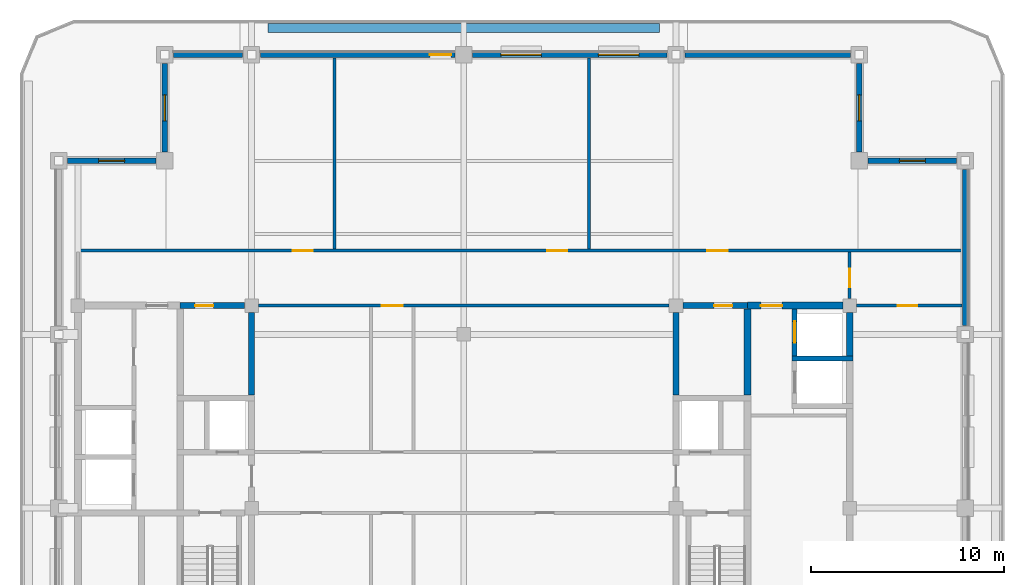
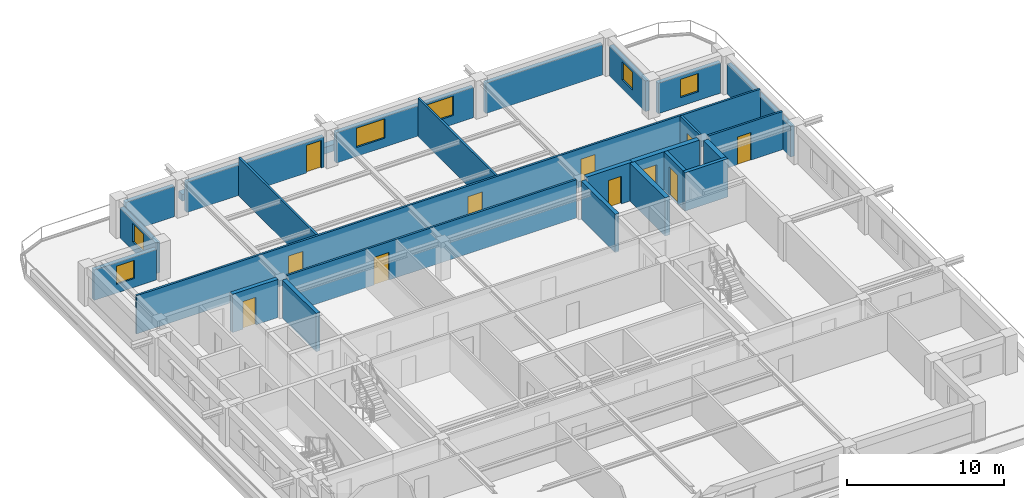
# One storey, part 5 of 11: 25 walls, 11 doors, 6 windows, 17 openings.
"""IFC4 building model written with IfcOpenShell, lengths in metres."""

import ifcopenshell
import ifcopenshell.guid

model = None  # the IFC model being written
_history = None  # IfcOwnerHistory: only IFC2X3 demands one
_inside = {}  # id of a spatial element -> (the spatial element, [elements in it])
_under = {}  # id of a project, library or spatial element -> (it, [spatial elements below it])
_declared = {}  # id of a project -> (the project, [libraries it declares])
_typed = {}  # id of a type object -> (the type object, [elements of that type])
_made_of = {}  # id of a material, layer set ... -> (it, [elements and type objects made of it])


def new_model(schema):
    """Start an empty IFC model of exactly this schema.

    Asked for "IFC4X3", IfcOpenShell would pick the latest addendum, in which some entities
    have other attributes; the version numbers below select the first issue.
    IFC2X3 requires an IfcOwnerHistory on every rooted entity: one is made here for all.
    """
    global model, _history
    if schema == "IFC4X3":
        model = ifcopenshell.file(schema_version=(4, 3, 0, 0))
    else:
        model = ifcopenshell.file(schema=schema)
    _inside.clear()
    _under.clear()
    _declared.clear()
    _typed.clear()
    _made_of.clear()
    _history = None
    if model.schema == "IFC2X3":
        org = make("IfcOrganization", Name="unknown")
        user = make(
            "IfcPersonAndOrganization",
            ThePerson=make("IfcPerson", FamilyName="unknown"),
            TheOrganization=org,
        )
        app = make(
            "IfcApplication",
            ApplicationDeveloper=org,
            Version="unknown",
            ApplicationFullName="unknown",
            ApplicationIdentifier="unknown",
        )
        _history = make(
            "IfcOwnerHistory",
            OwningUser=user,
            OwningApplication=app,
            ChangeAction="ADDED",
            CreationDate=0,
        )
    return model


def make(cls, **values):
    """One entity of the class cls with the attributes given. An attribute that is None is left unset."""
    return model.create_entity(
        cls, **{name: value for name, value in values.items() if value is not None}
    )


def rooted(cls, **values):
    """An entity with a GlobalId (a new one), such as an element, a storey or a relation."""
    return make(cls, GlobalId=ifcopenshell.guid.new(), OwnerHistory=_history, **values)


def si_unit(unit_type, name, prefix=None):
    """IfcSIUnit, for example si_unit("LENGTHUNIT", "METRE", prefix="MILLI")."""
    return make("IfcSIUnit", UnitType=unit_type, Prefix=prefix, Name=name)


def assignment(units):
    """IfcUnitAssignment: the units of a project."""
    return None if units is None else make("IfcUnitAssignment", Units=units)


def point(xyz):
    """IfcCartesianPoint."""
    return None if xyz is None else make("IfcCartesianPoint", Coordinates=xyz)


def direction(xyz):
    """IfcDirection."""
    return None if xyz is None else make("IfcDirection", DirectionRatios=xyz)


def frame(location, z_axis=None, x_axis=None):
    """IfcAxis2Placement3D, a coordinate frame: its origin and axes. An axis left out is left unset."""
    return make(
        "IfcAxis2Placement3D",
        Location=point(location),
        Axis=direction(z_axis),
        RefDirection=direction(x_axis),
    )


def frame_2d(location, x_axis=None):
    """IfcAxis2Placement2D, a coordinate frame in the plane: its origin and x axis."""
    return make(
        "IfcAxis2Placement2D", Location=point(location), RefDirection=direction(x_axis)
    )


def origin():
    """The frame at (0, 0, 0) with its axes left unset."""
    return frame((0.0, 0.0, 0.0))


def place(relative_to, where):
    """IfcLocalPlacement: puts the frame where relative to a parent placement (None: the world)."""
    return make(
        "IfcLocalPlacement", PlacementRelTo=relative_to, RelativePlacement=where
    )


def context(
    kind, dimensions, precision=None, world=None, true_north=None, identifier=None
):
    """IfcGeometricRepresentationContext, for example the 3D "Model" context."""
    return make(
        "IfcGeometricRepresentationContext",
        ContextIdentifier=identifier,
        ContextType=kind,
        CoordinateSpaceDimension=dimensions,
        Precision=precision,
        WorldCoordinateSystem=world,
        TrueNorth=true_north,
    )


def subcontext(parent, identifier, kind, view, scale=None):
    """IfcGeometricRepresentationSubContext, for example "Body" below "Model"."""
    return make(
        "IfcGeometricRepresentationSubContext",
        ContextIdentifier=identifier,
        ContextType=kind,
        ParentContext=parent,
        TargetScale=scale,
        TargetView=view,
    )


def project(units=None, contexts=None):
    """IfcProject with its units and contexts."""
    return rooted(
        "IfcProject",
        Name="project",
        RepresentationContexts=contexts,
        UnitsInContext=assignment(units),
    )


def spatial(cls, under=None, at=None, **own):
    """A site, building, storey or space (cls), placed at a placement, below another one or the project."""
    s = rooted(cls, ObjectPlacement=at, **own)
    if under is not None:
        _under.setdefault(under.id(), (under, []))[1].append(s)
    return s


def profile(cls, at=None, kind="AREA", **sizes):
    """A parametric profile (cls). Its sizes go by their IFC names, for example OverallWidth=200.0."""
    return make(cls, ProfileType=kind, Position=at, **sizes)


def rectangle(**sizes):
    """IfcRectangleProfileDef."""
    return profile("IfcRectangleProfileDef", **sizes)


def extrude(swept, where, along, depth):
    """IfcExtrudedAreaSolid: the profile swept, set in the frame where, extruded along a direction by depth."""
    return make(
        "IfcExtrudedAreaSolid",
        SweptArea=swept,
        Position=where,
        ExtrudedDirection=direction(along),
        Depth=depth,
    )


def shape(context_of_items, identifier, shape_type, items):
    """IfcShapeRepresentation: the items that make up one representation, for example the "Body"."""
    return make(
        "IfcShapeRepresentation",
        ContextOfItems=context_of_items,
        RepresentationIdentifier=identifier,
        RepresentationType=shape_type,
        Items=items,
    )


def material(Name=None, Category=None):
    """IfcMaterial."""
    return make("IfcMaterial", Name=Name, Category=Category)


def layer(
    of_material, thickness, ventilated=None, Name=None, Category=None, Priority=None
):
    """IfcMaterialLayer: one layer of a wall or slab, of a material (None: an air gap)."""
    return make(
        "IfcMaterialLayer",
        Material=of_material,
        LayerThickness=thickness,
        IsVentilated=ventilated,
        Name=Name,
        Category=Category,
        Priority=Priority,
    )


def layer_set(layers, Name=None):
    """IfcMaterialLayerSet."""
    return make("IfcMaterialLayerSet", MaterialLayers=layers, LayerSetName=Name)


def made_of(thing, what):
    """Note that an element or type object is made of a material, layer set ...; save() writes the relation."""
    if what is not None:
        _made_of.setdefault(what.id(), (what, []))[1].append(thing)
    return thing


def type_object(cls, material=None, **own):
    """A type object (cls), such as IfcWallType, which elements share."""
    return made_of(rooted(cls, **own), material)


def element(
    cls,
    number,
    at=None,
    inside=None,
    cuts=None,
    type_object=None,
    material=None,
    context=None,
    identifier="Body",
    shape_type=None,
    held_by="IfcProductDefinitionShape",
    body=None,
    shapes=None,
    **own,
):
    """One element of the class cls, such as IfcWall. Its Tag is "e" and its number.

    at: its placement. inside: the storey or other place that contains it. cuts: it is an
    opening in that element (IfcRelVoidsElement). A single representation is given by context,
    identifier, shape_type and body (its items); several are given by shapes. held_by: the class
    of the entity that holds the representations. save() writes the other relations.
    """
    e = rooted(cls, Tag="e%d" % number, ObjectPlacement=at, **own)
    if body is not None:
        shapes = [shape(context, identifier, shape_type, body)]
    if shapes is not None:
        e.Representation = make(held_by, Representations=shapes)
    if inside is not None:
        _inside.setdefault(inside.id(), (inside, []))[1].append(e)
    if cuts is not None:
        rooted(
            "IfcRelVoidsElement", RelatingBuildingElement=cuts, RelatedOpeningElement=e
        )
    if type_object is not None:
        _typed.setdefault(type_object.id(), (type_object, []))[1].append(e)
    return made_of(e, material)


def fill(opening, filler):
    """IfcRelFillsElement: the door or window that sits in an opening."""
    return rooted(
        "IfcRelFillsElement",
        RelatingOpeningElement=opening,
        RelatedBuildingElement=filler,
    )


def aggregate(whole, parts):
    """IfcRelAggregates: a whole, such as a stair, and the parts it consists of."""
    return rooted("IfcRelAggregates", RelatingObject=whole, RelatedObjects=parts)


def save(model, path):
    """Write the relations noted so far, then the file.

    IfcRelAggregates (storeys below a building ...), IfcRelContainedInSpatialStructure (elements
    in a storey), IfcRelDefinesByType, IfcRelAssociatesMaterial and IfcRelDeclares: one each for
    every whole, place, type object, material and project.
    """
    for whole, parts in _under.values():
        aggregate(whole, parts)
    for where, things in _inside.values():
        rooted(
            "IfcRelContainedInSpatialStructure",
            RelatedElements=things,
            RelatingStructure=where,
        )
    for kind, things in _typed.values():
        rooted("IfcRelDefinesByType", RelatedObjects=things, RelatingType=kind)
    for what, things in _made_of.values():
        rooted("IfcRelAssociatesMaterial", RelatedObjects=things, RelatingMaterial=what)
    for by, libraries in _declared.values():
        rooted("IfcRelDeclares", RelatingContext=by, RelatedDefinitions=libraries)
    model.write(path)


model = new_model("IFC4")

# Units and contexts
model_context = context("Model", 3, precision=1e-05, world=origin(), true_north=direction((0.0, 1.0)))
body_context = subcontext(model_context, "Body", "Model", "MODEL_VIEW")
ifc_project = project(units=[si_unit("LENGTHUNIT", "METRE"), si_unit("AREAUNIT", "SQUARE_METRE"), si_unit("VOLUMEUNIT", "CUBIC_METRE"), si_unit("PLANEANGLEUNIT", "RADIAN"), si_unit("MASSUNIT", "GRAM", prefix="KILO")], contexts=[model_context])

# Site, building, storey
site_placement = place(None, origin())
site = spatial("IfcSite", under=ifc_project, at=site_placement, CompositionType="ELEMENT")
building_placement = place(site_placement, origin())
building = spatial("IfcBuilding", under=site, at=building_placement, Name="Zulmaris Gate Convention Tower", CompositionType="ELEMENT")
storey_placement = place(building_placement, frame((0.0, 0.0, 236.510009765625)))
storey = spatial("IfcBuildingStorey", under=building, at=storey_placement, Name="L62", CompositionType="ELEMENT", Elevation=236.510009765625)

# Wall
ifc_material_1 = material(Name="Concrete C50/60", Category="concrete")
ifc_layer_1 = layer(ifc_material_1, 0.25, Name="Concrete C50/60")
ifc_layer_set_1 = layer_set([ifc_layer_1], Name="Concrete C50/60")
wall_type_1 = type_object("IfcWallType", Name="CORE-250", PredefinedType="SOLIDWALL", material=ifc_layer_set_1)
wall_1_placement = place(storey_placement, frame((17.02490234375, 7.75, 0.0), z_axis=(0.0, 0.0, 1.0), x_axis=(1.0, 0.0, 0.0)))
element("IfcWall", 1, at=wall_1_placement, inside=storey, type_object=wall_type_1, Name="WL-L62-014", PredefinedType="SOLIDWALL", context=body_context, shape_type="SweptSolid", body=[
    extrude(rectangle(XDim=3.150146484375, YDim=0.25, at=frame_2d((1.5751953125, 0.0))), origin(), (0.0, 0.0, 1.0), 2.97998046875),
])

# Wall, opening, door
wall_2_placement = place(storey_placement, frame((17.14990234375, 7.876953125, 0.0), z_axis=(0.0, 0.0, 1.0), x_axis=(0.0, 1.0, 0.0)))
wall_2 = element("IfcWall", 2, at=wall_2_placement, inside=storey, type_object=wall_type_1, Name="WL-L62-057", PredefinedType="SOLIDWALL", context=body_context, shape_type="SweptSolid", body=[
    extrude(rectangle(XDim=2.446044921875, YDim=0.25, at=frame_2d((1.22314453125, 0.0))), origin(), (0.0, 0.0, 1.0), 2.97998046875),
])
opening_1_placement = place(wall_2_placement, frame((0.697998046875, 0.0, 0.0)))
opening_1 = element("IfcOpeningElement", 3, at=opening_1_placement, cuts=wall_2, Name="Opening D-06", PredefinedType="OPENING", context=body_context, shape_type="SweptSolid", body=[
    extrude(rectangle(XDim=1.10009765625, YDim=2.199951171875, at=frame_2d((0.550048828125, 1.10009765625))), frame((0.0, 0.135009765625, 0.0), z_axis=(0.0, -1.0, 0.0), x_axis=(1.0, 0.0, 0.0)), (0.0, 0.0, 1.0), 0.27001953125),
])
ifc_material_2 = material(Name="Brushed Stainless Steel", Category="steel")
door_type_1 = type_object("IfcDoorType", Name="LD-1100", OperationType="NOTDEFINED", PredefinedType="DOOR", material=ifc_material_2)
door_1_placement = place(opening_1_placement, origin())
door_1 = element("IfcDoor", 4, at=door_1_placement, inside=storey, type_object=door_type_1, Name="L62 Lift Landing Door HP-02 15", OperationType="SLIDING_TO_RIGHT", OverallHeight=2.199951171875, OverallWidth=1.10009765625, PredefinedType="DOOR", context=body_context, shape_type="SweptSolid", body=[
    extrude(rectangle(XDim=1.10009765625, YDim=2.199951171875, at=frame_2d((0.550048828125, 1.10009765625))), frame((0.0, 0.02490234375, 0.0), z_axis=(0.0, -1.0, 0.0), x_axis=(1.0, 0.0, 0.0)), (0.0, 0.0, 1.0), 0.050048828125),
])
fill(opening_1, door_1)

ifc_layer_2 = layer(ifc_material_1, 0.300048828125, Name="Concrete C50/60")
ifc_layer_set_2 = layer_set([ifc_layer_2], Name="Concrete C50/60")
wall_type_2 = type_object("IfcWallType", Name="CORE-300", PredefinedType="SHEAR", material=ifc_layer_set_2)
wall_3_placement = place(storey_placement, frame((-14.699951171875, 10.5, 0.0), z_axis=(0.0, 0.0, 1.0), x_axis=(1.0, 0.0, 0.0)))
wall_3 = element("IfcWall", 5, at=wall_3_placement, inside=storey, type_object=wall_type_2, Name="WL-L62-016", PredefinedType="SHEAR", context=body_context, shape_type="SweptSolid", body=[
    extrude(rectangle(XDim=3.345947265625, YDim=0.300048828125, at=frame_2d((1.6728515625, 0.0))), origin(), (0.0, 0.0, 1.0), 2.97998046875),
])
opening_2_placement = place(wall_3_placement, frame((0.77490234375, 0.0, 0.0)))
opening_2 = element("IfcOpeningElement", 6, at=opening_2_placement, cuts=wall_3, Name="Opening D-11", PredefinedType="OPENING", context=body_context, shape_type="SweptSolid", body=[
    extrude(rectangle(XDim=0.949951171875, YDim=2.14990234375, at=frame_2d((0.47509765625, 1.074951171875))), frame((0.0, 0.16015625, 0.0), z_axis=(0.0, -1.0, 0.0), x_axis=(1.0, 0.0, 0.0)), (0.0, 0.0, 1.0), 0.320068359375),
])
ifc_material_3 = material(Name="Fire-Rated Timber", Category="wood")
door_type_2 = type_object("IfcDoorType", Name="DR-950-FD", OperationType="NOTDEFINED", PredefinedType="DOOR", material=ifc_material_3)
door_2_placement = place(opening_2_placement, origin())
door_2 = element("IfcDoor", 7, at=door_2_placement, inside=storey, type_object=door_type_2, Name="L62 Core Pantry Door 07", OperationType="SINGLE_SWING_RIGHT", OverallHeight=2.14990234375, OverallWidth=0.949951171875, PredefinedType="DOOR", context=body_context, shape_type="SweptSolid", body=[
    extrude(rectangle(XDim=0.949951171875, YDim=2.14990234375, at=frame_2d((0.47509765625, 1.074951171875))), frame((0.0, 0.02490234375, 0.0), z_axis=(0.0, -1.0, 0.0), x_axis=(1.0, 0.0, 0.0)), (0.0, 0.0, 1.0), 0.050048828125),
])
fill(opening_2, door_2)

wall_4_placement = place(storey_placement, frame((11.35400390625, 10.5, 0.0), z_axis=(0.0, 0.0, 1.0), x_axis=(1.0, 0.0, 0.0)))
wall_4 = element("IfcWall", 8, at=wall_4_placement, inside=storey, type_object=wall_type_2, Name="WL-L62-017", PredefinedType="SHEAR", context=body_context, shape_type="SweptSolid", body=[
    extrude(rectangle(XDim=3.345947265625, YDim=0.300048828125, at=frame_2d((1.6728515625, 0.0))), origin(), (0.0, 0.0, 1.0), 2.97998046875),
])
opening_3_placement = place(wall_4_placement, frame((1.62109375, 0.0, 0.0)))
opening_3 = element("IfcOpeningElement", 9, at=opening_3_placement, cuts=wall_4, Name="Opening D-11", PredefinedType="OPENING", context=body_context, shape_type="SweptSolid", body=[
    extrude(rectangle(XDim=0.949951171875, YDim=2.14990234375, at=frame_2d((0.47509765625, 1.074951171875))), frame((0.0, 0.16015625, 0.0), z_axis=(0.0, -1.0, 0.0), x_axis=(1.0, 0.0, 0.0)), (0.0, 0.0, 1.0), 0.320068359375),
])
door_3_placement = place(opening_3_placement, origin())
door_3 = element("IfcDoor", 10, at=door_3_placement, inside=storey, type_object=door_type_2, Name="L62 Core Cleaners Store Door 08", OperationType="SINGLE_SWING_LEFT", OverallHeight=2.14990234375, OverallWidth=0.949951171875, PredefinedType="DOOR", context=body_context, shape_type="SweptSolid", body=[
    extrude(rectangle(XDim=0.949951171875, YDim=2.14990234375, at=frame_2d((0.47509765625, 1.074951171875))), frame((0.0, 0.02490234375, 0.0), z_axis=(0.0, -1.0, 0.0), x_axis=(1.0, 0.0, 0.0)), (0.0, 0.0, 1.0), 0.050048828125),
])
fill(opening_3, door_3)

# Walls
for number, where, z_axis, x_axis, name in (
    (11, (-11.0, 5.85205078125, 0.0), (0.0, 0.0, 1.0), (0.0, 1.0, 0.0), "WL-L62-045"),
    (12, (11.0, 5.85205078125, 0.0), (0.0, 0.0, 1.0), (0.0, 1.0, 0.0), "WL-L62-049"),
):
    element("IfcWall", number, at=place(storey_placement, frame(where, z_axis=z_axis, x_axis=x_axis)), inside=storey, type_object=wall_type_2, Name=name, PredefinedType="SHEAR", context=body_context, shape_type="SweptSolid", body=[
        extrude(rectangle(XDim=4.2939453125, YDim=0.300048828125, at=frame_2d((2.14697265625, 0.0))), origin(), (0.0, 0.0, 1.0), 2.97998046875),
    ])

# Wall, opening, door
ifc_material_4 = material(Name="Concrete C55/67", Category="concrete")
ifc_layer_3 = layer(ifc_material_4, 0.35009765625, Name="Concrete C55/67")
ifc_layer_set_3 = layer_set([ifc_layer_3], Name="Concrete C55/67")
wall_type_3 = type_object("IfcWallType", Name="CORE-350", PredefinedType="SHEAR", material=ifc_layer_set_3)
wall_5_placement = place(storey_placement, frame((14.699951171875, 10.5, 0.0), z_axis=(0.0, 0.0, 1.0), x_axis=(1.0, 0.0, 0.0)))
wall_5 = element("IfcWall", 13, at=wall_5_placement, inside=storey, type_object=wall_type_3, Name="WL-L62-018", PredefinedType="SHEAR", context=body_context, shape_type="SweptSolid", body=[
    extrude(rectangle(XDim=4.946044921875, YDim=0.35009765625, at=frame_2d((2.47314453125, 0.0))), origin(), (0.0, 0.0, 1.0), 2.97998046875),
])
opening_4_placement = place(wall_5_placement, frame((0.699951171875, 0.0, 0.0)))
opening_4 = element("IfcOpeningElement", 14, at=opening_4_placement, cuts=wall_5, Name="Opening D-08", PredefinedType="OPENING", context=body_context, shape_type="SweptSolid", body=[
    extrude(rectangle(XDim=1.10009765625, YDim=2.14990234375, at=frame_2d((0.550048828125, 1.074951171875))), frame((0.0, 0.18505859375, 0.0), z_axis=(0.0, -1.0, 0.0), x_axis=(1.0, 0.0, 0.0)), (0.0, 0.0, 1.0), 0.3701171875),
])
ifc_material_5 = material(Name="Fire-Rated Steel", Category="steel")
door_type_3 = type_object("IfcDoorType", Name="DR-1100-FD", OperationType="NOTDEFINED", PredefinedType="DOOR", material=ifc_material_5)
door_4_placement = place(opening_4_placement, origin())
door_4 = element("IfcDoor", 15, at=door_4_placement, inside=storey, type_object=door_type_3, Name="L62 High-Rise East Lift Lobby Door 16", OperationType="SINGLE_SWING_LEFT", OverallHeight=2.14990234375, OverallWidth=1.10009765625, PredefinedType="DOOR", context=body_context, shape_type="SweptSolid", body=[
    extrude(rectangle(XDim=1.10009765625, YDim=2.14990234375, at=frame_2d((0.550048828125, 1.074951171875))), frame((0.0, 0.02490234375, 0.0), z_axis=(0.0, -1.0, 0.0), x_axis=(1.0, 0.0, 0.0)), (0.0, 0.0, 1.0), 0.050048828125),
])
fill(opening_4, door_4)

# Walls
wall_6_placement = place(storey_placement, frame((14.699951171875, 5.85205078125, 0.0), z_axis=(0.0, 0.0, 1.0), x_axis=(0.0, 1.0, 0.0)))
element("IfcWall", 16, at=wall_6_placement, inside=storey, type_object=wall_type_3, Name="WL-L62-055", PredefinedType="SHEAR", context=body_context, shape_type="SweptSolid", body=[
    extrude(rectangle(XDim=4.470947265625, YDim=0.35009765625, at=frame_2d((2.2353515625, 0.0))), origin(), (0.0, 0.0, 1.0), 2.97998046875),
])
wall_7_placement = place(storey_placement, frame((20.0, 7.876953125, 0.0), z_axis=(0.0, 0.0, 1.0), x_axis=(0.0, 1.0, 0.0)))
element("IfcWall", 17, at=wall_7_placement, inside=storey, type_object=wall_type_3, Name="WL-L62-060", PredefinedType="SHEAR", context=body_context, shape_type="SweptSolid", body=[
    extrude(rectangle(XDim=2.26904296875, YDim=0.35009765625, at=frame_2d((1.134521484375, 0.0))), origin(), (0.0, 0.0, 1.0), 2.97998046875),
])

# Wall, opening, door
ifc_material_6 = material(Name="Gypsum Metal Stud Partition")
ifc_layer_4 = layer(ifc_material_6, 0.14990234375, Name="Gypsum Metal Stud Partition")
ifc_layer_set_4 = layer_set([ifc_layer_4], Name="Gypsum Metal Stud Partition")
wall_type_4 = type_object("IfcWallType", Name="PART-150", PredefinedType="PARTITIONING", material=ifc_layer_set_4)
wall_8_placement = place(storey_placement, frame((-10.64404296875, 10.5, 0.0), z_axis=(0.0, 0.0, 1.0), x_axis=(1.0, 0.0, 0.0)))
wall_8 = element("IfcWall", 18, at=wall_8_placement, inside=storey, type_object=wall_type_4, Name="WL-L62-026", PredefinedType="PARTITIONING", context=body_context, shape_type="SweptSolid", body=[
    extrude(rectangle(XDim=21.2880859375, YDim=0.14990234375, at=frame_2d((10.64404296875, 0.0))), origin(), (0.0, 0.0, 1.0), 2.97998046875),
])
opening_5_placement = place(wall_8_placement, frame((6.39404296875, 0.0, 0.0)))
opening_5 = element("IfcOpeningElement", 19, at=opening_5_placement, cuts=wall_8, Name="Opening D-08", PredefinedType="OPENING", context=body_context, shape_type="SweptSolid", body=[
    extrude(rectangle(XDim=1.10009765625, YDim=2.14990234375, at=frame_2d((0.550048828125, 1.074951171875))), frame((0.0, 0.0849609375, 0.0), z_axis=(0.0, -1.0, 0.0), x_axis=(1.0, 0.0, 0.0)), (0.0, 0.0, 1.0), 0.169921875),
])
door_5_placement = place(opening_5_placement, origin())
door_5 = element("IfcDoor", 20, at=door_5_placement, inside=storey, type_object=door_type_3, Name="L62 Exec North Link Door 18", OperationType="SINGLE_SWING_LEFT", OverallHeight=2.14990234375, OverallWidth=1.10009765625, PredefinedType="DOOR", context=body_context, shape_type="SweptSolid", body=[
    extrude(rectangle(XDim=1.10009765625, YDim=2.14990234375, at=frame_2d((0.550048828125, 1.074951171875))), frame((0.0, 0.02490234375, 0.0), z_axis=(0.0, -1.0, 0.0), x_axis=(1.0, 0.0, 0.0)), (0.0, 0.0, 1.0), 0.050048828125),
])
fill(opening_5, door_5)

wall_9_placement = place(storey_placement, frame((20.35595703125, 10.5, 0.0), z_axis=(0.0, 0.0, 1.0), x_axis=(1.0, 0.0, 0.0)))
wall_9 = element("IfcWall", 21, at=wall_9_placement, inside=storey, type_object=wall_type_4, Name="WL-L62-027", PredefinedType="PARTITIONING", context=body_context, shape_type="SweptSolid", body=[
    extrude(rectangle(XDim=5.47900390625, YDim=0.14990234375, at=frame_2d((2.739501953125, 0.0))), origin(), (0.0, 0.0, 1.0), 2.97998046875),
])
opening_6_placement = place(wall_9_placement, frame((2.14404296875, 0.0, 0.0)))
opening_6 = element("IfcOpeningElement", 22, at=opening_6_placement, cuts=wall_9, Name="Opening D-10", PredefinedType="OPENING", context=body_context, shape_type="SweptSolid", body=[
    extrude(rectangle(XDim=1.0, YDim=2.14990234375, at=frame_2d((0.5, 1.074951171875))), frame((0.0, 0.0849609375, 0.0), z_axis=(0.0, -1.0, 0.0), x_axis=(1.0, 0.0, 0.0)), (0.0, 0.0, 1.0), 0.169921875),
])
door_type_4 = type_object("IfcDoorType", Name="DR-1000-FD", OperationType="NOTDEFINED", PredefinedType="DOOR", material=ifc_material_3)
door_6_placement = place(opening_6_placement, origin())
door_6 = element("IfcDoor", 23, at=door_6_placement, inside=storey, type_object=door_type_4, Name="L62 East Workplace North Door 37", OperationType="SINGLE_SWING_RIGHT", OverallHeight=2.14990234375, OverallWidth=1.0, PredefinedType="DOOR", context=body_context, shape_type="SweptSolid", body=[
    extrude(rectangle(XDim=1.0, YDim=2.14990234375, at=frame_2d((0.5, 1.074951171875))), frame((0.0, 0.02490234375, 0.0), z_axis=(0.0, -1.0, 0.0), x_axis=(1.0, 0.0, 0.0)), (0.0, 0.0, 1.0), 0.050048828125),
])
fill(opening_6, door_6)

# Wall, openings, doors
wall_10_placement = place(storey_placement, frame((-20.074951171875, 13.35009765625, 0.0), z_axis=(0.0, 0.0, 1.0), x_axis=(1.0, 0.0, 0.0)))
wall_10 = element("IfcWall", 24, at=wall_10_placement, inside=storey, type_object=wall_type_4, Name="WL-L62-028", PredefinedType="PARTITIONING", context=body_context, shape_type="SweptSolid", body=[
    extrude(rectangle(XDim=45.909912109375, YDim=0.14990234375, at=frame_2d((22.955078125, 0.0))), origin(), (0.0, 0.0, 1.0), 2.97998046875),
])
opening_7_placement = place(wall_10_placement, frame((11.199951171875, 0.0, 0.0)))
opening_7 = element("IfcOpeningElement", 25, at=opening_7_placement, cuts=wall_10, Name="Opening D-09", PredefinedType="OPENING", context=body_context, shape_type="SweptSolid", body=[
    extrude(rectangle(XDim=1.050048828125, YDim=2.14990234375, at=frame_2d((0.52490234375, 1.074951171875))), frame((0.0, 0.0849609375, 0.0), z_axis=(0.0, -1.0, 0.0), x_axis=(1.0, 0.0, 0.0)), (0.0, 0.0, 1.0), 0.169921875),
])
opening_8_placement = place(wall_10_placement, frame((24.39990234375, 0.0, 0.0)))
opening_8 = element("IfcOpeningElement", 26, at=opening_8_placement, cuts=wall_10, Name="Opening D-09", PredefinedType="OPENING", context=body_context, shape_type="SweptSolid", body=[
    extrude(rectangle(XDim=1.050048828125, YDim=2.14990234375, at=frame_2d((0.52490234375, 1.074951171875))), frame((0.0, 0.0849609375, 0.0), z_axis=(0.0, -1.0, 0.0), x_axis=(1.0, 0.0, 0.0)), (0.0, 0.0, 1.0), 0.169921875),
])
opening_9_placement = place(wall_10_placement, frame((32.699951171875, 0.0, 0.0)))
opening_9 = element("IfcOpeningElement", 27, at=opening_9_placement, cuts=wall_10, Name="Opening D-09", PredefinedType="OPENING", context=body_context, shape_type="SweptSolid", body=[
    extrude(rectangle(XDim=1.050048828125, YDim=2.14990234375, at=frame_2d((0.52490234375, 1.074951171875))), frame((0.0, 0.0849609375, 0.0), z_axis=(0.0, -1.0, 0.0), x_axis=(1.0, 0.0, 0.0)), (0.0, 0.0, 1.0), 0.169921875),
])
door_type_5 = type_object("IfcDoorType", Name="DR-1050-FD", OperationType="NOTDEFINED", PredefinedType="DOOR", material=ifc_material_5)
door_7_placement = place(opening_7_placement, origin())
door_7 = element("IfcDoor", 28, at=door_7_placement, inside=storey, type_object=door_type_5, Name="L62 Research Reading Room Door 22", OperationType="SINGLE_SWING_LEFT", OverallHeight=2.14990234375, OverallWidth=1.050048828125, PredefinedType="DOOR", context=body_context, shape_type="SweptSolid", body=[
    extrude(rectangle(XDim=1.050048828125, YDim=2.14990234375, at=frame_2d((0.52490234375, 1.074951171875))), frame((0.0, 0.02490234375, 0.0), z_axis=(0.0, -1.0, 0.0), x_axis=(1.0, 0.0, 0.0)), (0.0, 0.0, 1.0), 0.050048828125),
])
fill(opening_7, door_7)
door_8_placement = place(opening_8_placement, origin())
door_8 = element("IfcDoor", 29, at=door_8_placement, inside=storey, type_object=door_type_5, Name="L62 Quiet Focus Study Door 23", OperationType="SINGLE_SWING_RIGHT", OverallHeight=2.14990234375, OverallWidth=1.050048828125, PredefinedType="DOOR", context=body_context, shape_type="SweptSolid", body=[
    extrude(rectangle(XDim=1.050048828125, YDim=2.14990234375, at=frame_2d((0.52490234375, 1.074951171875))), frame((0.0, 0.02490234375, 0.0), z_axis=(0.0, -1.0, 0.0), x_axis=(1.0, 0.0, 0.0)), (0.0, 0.0, 1.0), 0.050048828125),
])
fill(opening_8, door_8)
door_9_placement = place(opening_9_placement, origin())
door_9 = element("IfcDoor", 30, at=door_9_placement, inside=storey, type_object=door_type_5, Name="L62 Legal Library Room Door 24", OperationType="SINGLE_SWING_LEFT", OverallHeight=2.14990234375, OverallWidth=1.050048828125, PredefinedType="DOOR", context=body_context, shape_type="SweptSolid", body=[
    extrude(rectangle(XDim=1.050048828125, YDim=2.14990234375, at=frame_2d((0.52490234375, 1.074951171875))), frame((0.0, 0.02490234375, 0.0), z_axis=(0.0, -1.0, 0.0), x_axis=(1.0, 0.0, 0.0)), (0.0, 0.0, 1.0), 0.050048828125),
])
fill(opening_9, door_9)

# Walls
for number, where, z_axis, x_axis, name in (
    (31, (-6.699951171875, 13.427978515625, 0.0), (0.0, 0.0, 1.0), (0.0, 1.0, 0.0), "WL-L62-065"),
    (32, (6.5, 13.427978515625, 0.0), (0.0, 0.0, 1.0), (0.0, 1.0, 0.0), "WL-L62-075"),
):
    element("IfcWall", number, at=place(storey_placement, frame(where, z_axis=z_axis, x_axis=x_axis)), inside=storey, type_object=wall_type_4, Name=name, PredefinedType="PARTITIONING", context=body_context, shape_type="SweptSolid", body=[
        extrude(rectangle(XDim=9.906982421875, YDim=0.14990234375, at=frame_2d((4.95361328125, 0.0))), origin(), (0.0, 0.0, 1.0), 2.97998046875),
    ])

# Wall, opening, door
wall_11_placement = place(storey_placement, frame((20.0, 10.85595703125, 0.0), z_axis=(0.0, 0.0, 1.0), x_axis=(0.0, 1.0, 0.0)))
wall_11 = element("IfcWall", 33, at=wall_11_placement, inside=storey, type_object=wall_type_4, Name="WL-L62-077", PredefinedType="PARTITIONING", context=body_context, shape_type="SweptSolid", body=[
    extrude(rectangle(XDim=2.416015625, YDim=0.14990234375, at=frame_2d((1.2080078125, 0.0))), origin(), (0.0, 0.0, 1.0), 2.97998046875),
])
opening_10_placement = place(wall_11_placement, frame((0.59912109375, 0.0, 0.0)))
opening_10 = element("IfcOpeningElement", 34, at=opening_10_placement, cuts=wall_11, Name="Opening D-11", PredefinedType="OPENING", context=body_context, shape_type="SweptSolid", body=[
    extrude(rectangle(XDim=0.949951171875, YDim=2.14990234375, at=frame_2d((0.47509765625, 1.074951171875))), frame((0.0, 0.0849609375, 0.0), z_axis=(0.0, -1.0, 0.0), x_axis=(1.0, 0.0, 0.0)), (0.0, 0.0, 1.0), 0.169921875),
])
door_10_placement = place(opening_10_placement, origin())
door_10 = element("IfcDoor", 35, at=door_10_placement, inside=storey, type_object=door_type_2, Name="L62 NE Spur Door 35", OperationType="SINGLE_SWING_RIGHT", OverallHeight=2.14990234375, OverallWidth=0.949951171875, PredefinedType="DOOR", context=body_context, shape_type="SweptSolid", body=[
    extrude(rectangle(XDim=0.949951171875, YDim=2.14990234375, at=frame_2d((0.47509765625, 1.074951171875))), frame((0.0, 0.02490234375, 0.0), z_axis=(0.0, -1.0, 0.0), x_axis=(1.0, 0.0, 0.0)), (0.0, 0.0, 1.0), 0.050048828125),
])
fill(opening_10, door_10)

# Wall
ifc_material_7 = material(Name="Botanical Green Glazed Precast Concrete C40/50", Category="concrete")
ifc_layer_5 = layer(ifc_material_7, 0.419921875, Name="Botanical Green Glazed Precast Concrete C40/50")
ifc_layer_set_5 = layer_set([ifc_layer_5], Name="Botanical Green Glazed Precast Concrete C40/50")
wall_type_5 = type_object("IfcWallType", Name="PLANTER-CURB-200", PredefinedType="PARAPET", material=ifc_layer_set_5)
wall_12_placement = place(storey_placement, frame((-10.14990234375, 24.8798828125, -0.0400390625), z_axis=(0.0, 0.0, 1.0), x_axis=(1.0, 0.0, 0.0)))
element("IfcWall", 36, at=wall_12_placement, inside=storey, type_object=wall_type_5, Name="L62 Full-Length Balcony Tree Planter Trough", PredefinedType="PARAPET", context=body_context, shape_type="SweptSolid", body=[
    extrude(rectangle(XDim=20.2998046875, YDim=0.47998046875, at=frame_2d((10.14990234375, 0.0))), origin(), (0.0, 0.0, 1.0), 0.52001953125),
])

# Wall, opening, window
ifc_material_8 = material(Name="Precast concrete C40/50", Category="concrete")
ifc_layer_6 = layer(ifc_material_8, 0.300048828125, Name="Precast concrete C40/50")
ifc_layer_set_6 = layer_set([ifc_layer_6], Name="Precast concrete C40/50")
wall_type_6 = type_object("IfcWallType", Name="PRECAST-PIER-300", PredefinedType="STANDARD", material=ifc_layer_set_6)
wall_13_placement = place(storey_placement, frame((25.544921875, 18.0, 0.0), z_axis=(0.0, 0.0, 1.0), x_axis=(-1.0, 0.0, 0.0)))
wall_13 = element("IfcWall", 37, at=wall_13_placement, inside=storey, type_object=wall_type_6, Name="EW-L62-NOTCH-NE1_0", PredefinedType="STANDARD", context=body_context, shape_type="SweptSolid", body=[
    extrude(rectangle(XDim=4.58984375, YDim=0.300048828125, at=frame_2d((2.294921875, 0.0))), origin(), (0.0, 0.0, 1.0), 2.3720703125),
])
opening_11_placement = place(wall_13_placement, frame((1.6201171875, 0.0, 0.679931640625)))
opening_11 = element("IfcOpeningElement", 38, at=opening_11_placement, cuts=wall_13, Name="Opening W-10", PredefinedType="OPENING", context=body_context, shape_type="SweptSolid", body=[
    extrude(rectangle(XDim=1.35009765625, YDim=1.419921875, at=frame_2d((0.675048828125, 0.7099609375))), frame((0.0, 0.16015625, 0.0), z_axis=(0.0, -1.0, 0.0), x_axis=(1.0, 0.0, 0.0)), (0.0, 0.0, 1.0), 0.320068359375),
])
ifc_material_9 = material(Name="Low-E Laminated Double Glazing in Aluminium Frame", Category="aluminium")
window_type_1 = type_object("IfcWindowType", Name="WIN-1350x2000", PartitioningType="SINGLE_PANEL", PredefinedType="WINDOW", material=ifc_material_9)
window_1_placement = place(opening_11_placement, origin())
window_1 = element("IfcWindow", 39, at=window_1_placement, inside=storey, type_object=window_type_1, Name="WN-EW-L62-NOTCH-NE1_0", OverallHeight=1.419921875, OverallWidth=1.35009765625, PartitioningType="SINGLE_PANEL", PredefinedType="WINDOW", context=body_context, shape_type="SweptSolid", body=[
    extrude(rectangle(XDim=1.35009765625, YDim=1.419921875, at=frame_2d((0.675048828125, 0.7099609375))), frame((0.0, 0.030029296875, 0.0), z_axis=(0.0, -1.0, 0.0), x_axis=(1.0, 0.0, 0.0)), (0.0, 0.0, 1.0), 0.06005859375),
])
fill(opening_11, window_1)

wall_14_placement = place(storey_placement, frame((20.5, 18.455078125, 0.0), z_axis=(0.0, 0.0, 1.0), x_axis=(0.0, 1.0, 0.0)))
wall_14 = element("IfcWall", 40, at=wall_14_placement, inside=storey, type_object=wall_type_6, Name="EW-L62-NOTCH-NE2_0", PredefinedType="STANDARD", context=body_context, shape_type="SweptSolid", body=[
    extrude(rectangle(XDim=4.58984375, YDim=0.300048828125, at=frame_2d((2.294921875, 0.0))), origin(), (0.0, 0.0, 1.0), 2.3720703125),
])
opening_12_placement = place(wall_14_placement, frame((1.6201171875, 0.0, 0.679931640625)))
opening_12 = element("IfcOpeningElement", 41, at=opening_12_placement, cuts=wall_14, Name="Opening W-10", PredefinedType="OPENING", context=body_context, shape_type="SweptSolid", body=[
    extrude(rectangle(XDim=1.35009765625, YDim=1.419921875, at=frame_2d((0.675048828125, 0.7099609375))), frame((0.0, 0.16015625, 0.0), z_axis=(0.0, -1.0, 0.0), x_axis=(1.0, 0.0, 0.0)), (0.0, 0.0, 1.0), 0.320068359375),
])
window_2_placement = place(opening_12_placement, origin())
window_2 = element("IfcWindow", 42, at=window_2_placement, inside=storey, type_object=window_type_1, Name="WN-EW-L62-NOTCH-NE2_0", OverallHeight=1.419921875, OverallWidth=1.35009765625, PartitioningType="SINGLE_PANEL", PredefinedType="WINDOW", context=body_context, shape_type="SweptSolid", body=[
    extrude(rectangle(XDim=1.35009765625, YDim=1.419921875, at=frame_2d((0.675048828125, 0.7099609375))), frame((0.0, 0.030029296875, 0.0), z_axis=(0.0, -1.0, 0.0), x_axis=(1.0, 0.0, 0.0)), (0.0, 0.0, 1.0), 0.06005859375),
])
fill(opening_12, window_2)

wall_15_placement = place(storey_placement, frame((-15.5, 23.044921875, 0.0), z_axis=(0.0, 0.0, 1.0), x_axis=(0.0, -1.0, 0.0)))
wall_15 = element("IfcWall", 43, at=wall_15_placement, inside=storey, type_object=wall_type_6, Name="EW-L62-NOTCH-NW1_0", PredefinedType="STANDARD", context=body_context, shape_type="SweptSolid", body=[
    extrude(rectangle(XDim=4.58984375, YDim=0.300048828125, at=frame_2d((2.294921875, 0.0))), origin(), (0.0, 0.0, 1.0), 2.3720703125),
])
opening_13_placement = place(wall_15_placement, frame((1.6201171875, 0.0, 0.679931640625)))
opening_13 = element("IfcOpeningElement", 44, at=opening_13_placement, cuts=wall_15, Name="Opening W-10", PredefinedType="OPENING", context=body_context, shape_type="SweptSolid", body=[
    extrude(rectangle(XDim=1.35009765625, YDim=1.419921875, at=frame_2d((0.675048828125, 0.7099609375))), frame((0.0, 0.16015625, 0.0), z_axis=(0.0, -1.0, 0.0), x_axis=(1.0, 0.0, 0.0)), (0.0, 0.0, 1.0), 0.320068359375),
])
window_3_placement = place(opening_13_placement, origin())
window_3 = element("IfcWindow", 45, at=window_3_placement, inside=storey, type_object=window_type_1, Name="WN-EW-L62-NOTCH-NW1_0", OverallHeight=1.419921875, OverallWidth=1.35009765625, PartitioningType="SINGLE_PANEL", PredefinedType="WINDOW", context=body_context, shape_type="SweptSolid", body=[
    extrude(rectangle(XDim=1.35009765625, YDim=1.419921875, at=frame_2d((0.675048828125, 0.7099609375))), frame((0.0, 0.030029296875, 0.0), z_axis=(0.0, -1.0, 0.0), x_axis=(1.0, 0.0, 0.0)), (0.0, 0.0, 1.0), 0.06005859375),
])
fill(opening_13, window_3)

wall_16_placement = place(storey_placement, frame((-15.955078125, 18.0, 0.0), z_axis=(0.0, 0.0, 1.0), x_axis=(-1.0, 0.0, 0.0)))
wall_16 = element("IfcWall", 46, at=wall_16_placement, inside=storey, type_object=wall_type_6, Name="EW-L62-NOTCH-NW2_0", PredefinedType="STANDARD", context=body_context, shape_type="SweptSolid", body=[
    extrude(rectangle(XDim=4.58984375, YDim=0.300048828125, at=frame_2d((2.294921875, 0.0))), origin(), (0.0, 0.0, 1.0), 2.3720703125),
])
opening_14_placement = place(wall_16_placement, frame((1.6201171875, 0.0, 0.679931640625)))
opening_14 = element("IfcOpeningElement", 47, at=opening_14_placement, cuts=wall_16, Name="Opening W-10", PredefinedType="OPENING", context=body_context, shape_type="SweptSolid", body=[
    extrude(rectangle(XDim=1.35009765625, YDim=1.419921875, at=frame_2d((0.675048828125, 0.7099609375))), frame((0.0, 0.16015625, 0.0), z_axis=(0.0, -1.0, 0.0), x_axis=(1.0, 0.0, 0.0)), (0.0, 0.0, 1.0), 0.320068359375),
])
window_4_placement = place(opening_14_placement, origin())
window_4 = element("IfcWindow", 48, at=window_4_placement, inside=storey, type_object=window_type_1, Name="WN-EW-L62-NOTCH-NW2_0", OverallHeight=1.419921875, OverallWidth=1.35009765625, PartitioningType="SINGLE_PANEL", PredefinedType="WINDOW", context=body_context, shape_type="SweptSolid", body=[
    extrude(rectangle(XDim=1.35009765625, YDim=1.419921875, at=frame_2d((0.675048828125, 0.7099609375))), frame((0.0, 0.030029296875, 0.0), z_axis=(0.0, -1.0, 0.0), x_axis=(1.0, 0.0, 0.0)), (0.0, 0.0, 1.0), 0.06005859375),
])
fill(opening_14, window_4)

# Wall
wall_17_placement = place(storey_placement, frame((-11.455078125, 23.5, 0.0), z_axis=(0.0, 0.0, 1.0), x_axis=(-1.0, 0.0, 0.0)))
element("IfcWall", 49, at=wall_17_placement, inside=storey, type_object=wall_type_6, Name="EW-L62-N-0_0", PredefinedType="STANDARD", context=body_context, shape_type="SweptSolid", body=[
    extrude(rectangle(XDim=3.58984375, YDim=0.300048828125, at=frame_2d((1.794921875, 0.0))), origin(), (0.0, 0.0, 1.0), 2.3720703125),
])

# Wall, opening, door
wall_18_placement = place(storey_placement, frame((-0.455078125, 23.5, 0.0), z_axis=(0.0, 0.0, 1.0), x_axis=(-1.0, 0.0, 0.0)))
wall_18 = element("IfcWall", 50, at=wall_18_placement, inside=storey, type_object=wall_type_6, Name="EW-L62-N-1_0", PredefinedType="STANDARD", context=body_context, shape_type="SweptSolid", body=[
    extrude(rectangle(XDim=10.08984375, YDim=0.300048828125, at=frame_2d((5.044921875, 0.0))), origin(), (0.0, 0.0, 1.0), 2.3720703125),
])
opening_15_placement = place(wall_18_placement, frame((0.199951171875, 0.0, 0.0)))
opening_15 = element("IfcOpeningElement", 51, at=opening_15_placement, cuts=wall_18, Name="Opening D-04", PredefinedType="OPENING", context=body_context, shape_type="SweptSolid", body=[
    extrude(rectangle(XDim=1.10009765625, YDim=2.14990234375, at=frame_2d((0.550048828125, 1.074951171875))), frame((0.0, 0.16015625, 0.0), z_axis=(0.0, -1.0, 0.0), x_axis=(1.0, 0.0, 0.0)), (0.0, 0.0, 1.0), 0.320068359375),
])
ifc_material_10 = material(Name="Anodised Aluminium and Laminated Glass", Category="aluminium")
door_type_6 = type_object("IfcDoorType", Name="ED-1100", OperationType="SINGLE_SWING_RIGHT", PredefinedType="DOOR", material=ifc_material_10)
door_11_placement = place(opening_15_placement, origin())
door_11 = element("IfcDoor", 52, at=door_11_placement, inside=storey, type_object=door_type_6, Name="L62 N Planted Terrace Door", OperationType="SINGLE_SWING_LEFT", OverallHeight=2.14990234375, OverallWidth=1.10009765625, PredefinedType="DOOR", context=body_context, shape_type="SweptSolid", body=[
    extrude(rectangle(XDim=1.10009765625, YDim=2.14990234375, at=frame_2d((0.550048828125, 1.074951171875))), frame((0.0, 0.02490234375, 0.0), z_axis=(0.0, -1.0, 0.0), x_axis=(1.0, 0.0, 0.0)), (0.0, 0.0, 1.0), 0.050048828125),
])
fill(opening_15, door_11)

# Wall, openings, windows
wall_19_placement = place(storey_placement, frame((10.544921875, 23.5, 0.0), z_axis=(0.0, 0.0, 1.0), x_axis=(-1.0, 0.0, 0.0)))
wall_19 = element("IfcWall", 53, at=wall_19_placement, inside=storey, type_object=wall_type_6, Name="EW-L62-N-2_0", PredefinedType="STANDARD", context=body_context, shape_type="SweptSolid", body=[
    extrude(rectangle(XDim=10.08984375, YDim=0.300048828125, at=frame_2d((5.044921875, 0.0))), origin(), (0.0, 0.0, 1.0), 2.3720703125),
])
opening_16_placement = place(wall_19_placement, frame((1.471923828125, 0.0, 0.699951171875)))
opening_16 = element("IfcOpeningElement", 54, at=opening_16_placement, cuts=wall_19, Name="Opening W-05", PredefinedType="OPENING", context=body_context, shape_type="SweptSolid", body=[
    extrude(rectangle(XDim=2.10009765625, YDim=1.5, at=frame_2d((1.050048828125, 0.75))), frame((0.0, 0.16015625, 0.0), z_axis=(0.0, -1.0, 0.0), x_axis=(1.0, 0.0, 0.0)), (0.0, 0.0, 1.0), 0.320068359375),
])
opening_17_placement = place(wall_19_placement, frame((6.51806640625, 0.0, 0.699951171875)))
opening_17 = element("IfcOpeningElement", 55, at=opening_17_placement, cuts=wall_19, Name="Opening W-05", PredefinedType="OPENING", context=body_context, shape_type="SweptSolid", body=[
    extrude(rectangle(XDim=2.10009765625, YDim=1.5, at=frame_2d((1.050048828125, 0.75))), frame((0.0, 0.16015625, 0.0), z_axis=(0.0, -1.0, 0.0), x_axis=(1.0, 0.0, 0.0)), (0.0, 0.0, 1.0), 0.320068359375),
])
window_type_2 = type_object("IfcWindowType", Name="WIN-2100x2400", PartitioningType="SINGLE_PANEL", PredefinedType="WINDOW", material=ifc_material_9)
window_5_placement = place(opening_16_placement, origin())
window_5 = element("IfcWindow", 56, at=window_5_placement, inside=storey, type_object=window_type_2, Name="WN-EW-L62-N-2_0-1", OverallHeight=1.5, OverallWidth=2.10009765625, PartitioningType="SINGLE_PANEL", PredefinedType="WINDOW", context=body_context, shape_type="SweptSolid", body=[
    extrude(rectangle(XDim=2.10009765625, YDim=1.5, at=frame_2d((1.050048828125, 0.75))), frame((0.0, 0.030029296875, 0.0), z_axis=(0.0, -1.0, 0.0), x_axis=(1.0, 0.0, 0.0)), (0.0, 0.0, 1.0), 0.06005859375),
])
fill(opening_16, window_5)
window_6_placement = place(opening_17_placement, origin())
window_6 = element("IfcWindow", 57, at=window_6_placement, inside=storey, type_object=window_type_2, Name="WN-EW-L62-N-2_0-3", OverallHeight=1.5, OverallWidth=2.10009765625, PartitioningType="SINGLE_PANEL", PredefinedType="WINDOW", context=body_context, shape_type="SweptSolid", body=[
    extrude(rectangle(XDim=2.10009765625, YDim=1.5, at=frame_2d((1.050048828125, 0.75))), frame((0.0, 0.030029296875, 0.0), z_axis=(0.0, -1.0, 0.0), x_axis=(1.0, 0.0, 0.0)), (0.0, 0.0, 1.0), 0.06005859375),
])
fill(opening_17, window_6)

# Walls
wall_20_placement = place(storey_placement, frame((20.044921875, 23.5, 0.0), z_axis=(0.0, 0.0, 1.0), x_axis=(-1.0, 0.0, 0.0)))
element("IfcWall", 58, at=wall_20_placement, inside=storey, type_object=wall_type_6, Name="EW-L62-N-3_0", PredefinedType="STANDARD", context=body_context, shape_type="SweptSolid", body=[
    extrude(rectangle(XDim=8.58984375, YDim=0.300048828125, at=frame_2d((4.294921875, 0.0))), origin(), (0.0, 0.0, 1.0), 2.3720703125),
])
wall_21_placement = place(storey_placement, frame((26.0, 9.455078125, 0.0), z_axis=(0.0, 0.0, 1.0), x_axis=(0.0, 1.0, 0.0)))
element("IfcWall", 59, at=wall_21_placement, inside=storey, type_object=wall_type_6, Name="EW-L62-E-3_0", PredefinedType="STANDARD", context=body_context, shape_type="SweptSolid", body=[
    extrude(rectangle(XDim=8.08984375, YDim=0.300048828125, at=frame_2d((4.044921875, 0.0))), origin(), (0.0, 0.0, 1.0), 2.3720703125),
])

save(model, "model.ifc")
